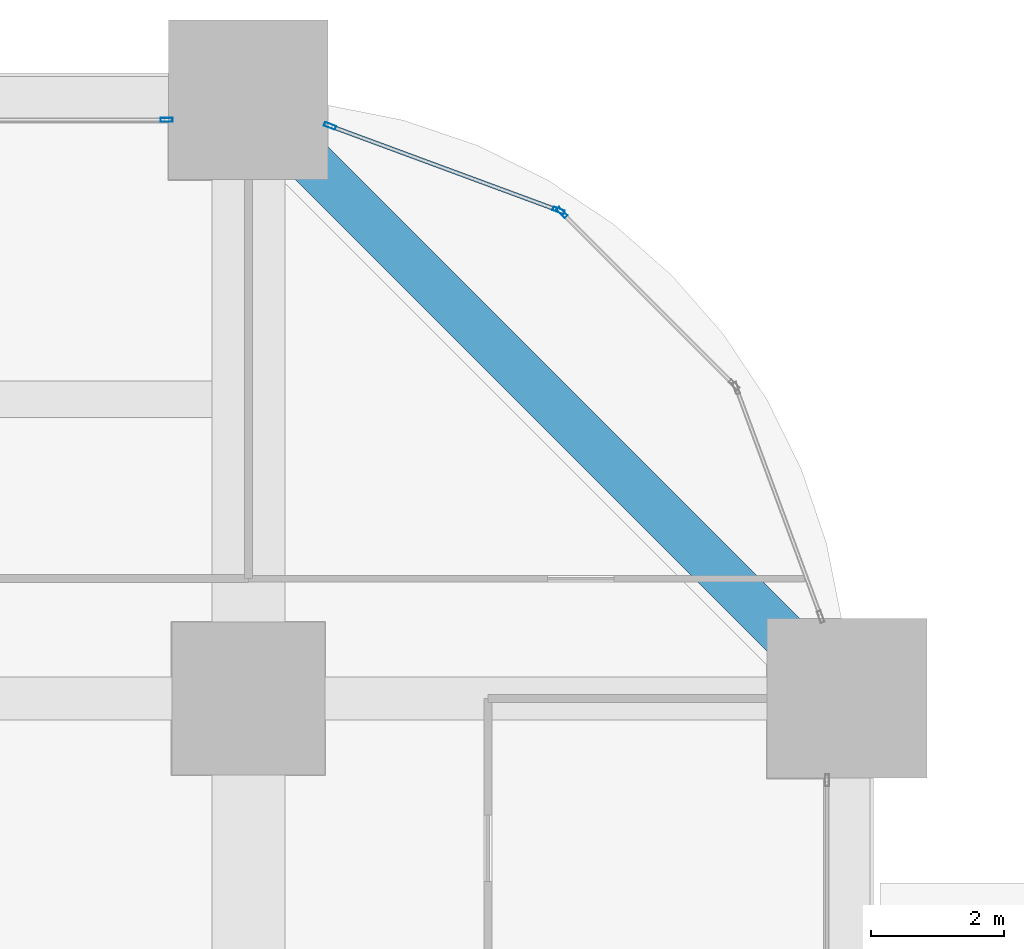
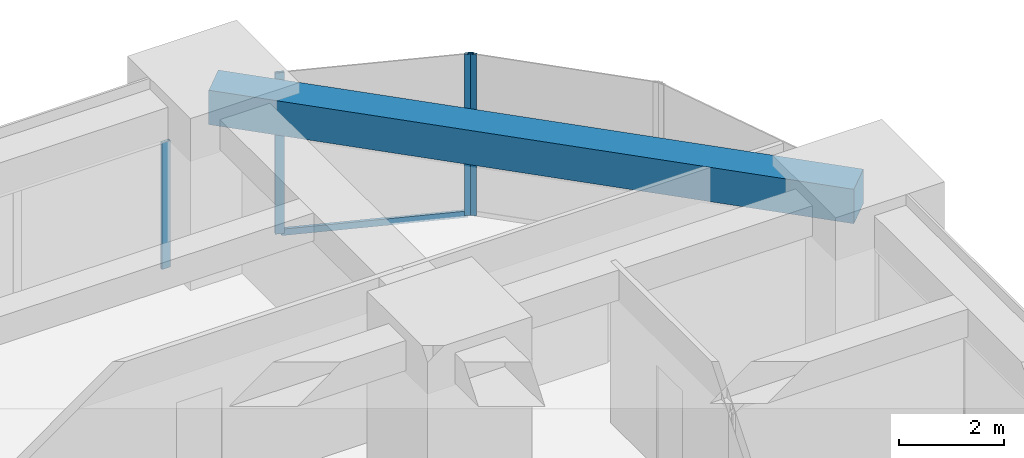
# One storey, part 25 of 39: 5 members, 1 beam, 3 elements without a shape of their own.
"""IFC4 building model written with IfcOpenShell, lengths in metres."""

from ifc_helpers import new_model, si_unit, direction, frame, origin, origin_2d, place, context, subcontext, project, spatial, rectangle, hollow_rectangle, extrude, material, material_profile, profile_set, type_object, element, aggregate, save


model = new_model("IFC4")

# Units and contexts
model_context = context("Model", 3, precision=1e-05, world=origin(), true_north=direction((0.0, 1.0)))
body_context = subcontext(model_context, "Body", "Model", "MODEL_VIEW")
ifc_project = project(units=[si_unit("LENGTHUNIT", "METRE"), si_unit("AREAUNIT", "SQUARE_METRE"), si_unit("VOLUMEUNIT", "CUBIC_METRE"), si_unit("PLANEANGLEUNIT", "RADIAN"), si_unit("MASSUNIT", "GRAM", prefix="KILO")], contexts=[model_context])

# Site, building, storey
site_placement = place(None, origin())
site = spatial("IfcSite", under=ifc_project, at=site_placement, CompositionType="ELEMENT")
building_placement = place(site_placement, origin())
building = spatial("IfcBuilding", under=site, at=building_placement, Name="Zorevar Civic Tower", CompositionType="ELEMENT")
storey_placement = place(building_placement, frame((0.0, 0.0, 19.800048828125)))
storey = spatial("IfcBuildingStorey", under=building, at=storey_placement, Name="L04", CompositionType="ELEMENT", Elevation=19.800048828125)

# Curtain wall, member
ifc_material_1 = material(Name="Dark grey solar-control glass in black aluminium frame", Category="aluminium")
curtain_wall_type = type_object("IfcCurtainWallType", Name="Curtain wall CW2 low zone", PredefinedType="NOTDEFINED", material=ifc_material_1)
curtain_wall_1_placement = place(storey_placement, origin())
curtain_wall_1 = element("IfcCurtainWall", 1, at=curtain_wall_1_placement, inside=storey, type_object=curtain_wall_type, Name="CW2 L04", PredefinedType="NOTDEFINED")
ifc_material_2 = material(Name="Aluminium, black anodised", Category="aluminium")
ifc_material_profile_1 = material_profile(ifc_material_2, hollow_rectangle(XDim=0.06005859375, YDim=0.179931640625, WallThickness=0.00390625, at=origin_2d()), Name="AL 180x60x4")
ifc_profile_set_1 = profile_set([ifc_material_profile_1], Name="Aluminium, black anodised")
member_type_1 = type_object("IfcMemberType", Name="CW2 mullion AL 180x60x4", PredefinedType="MULLION", material=ifc_profile_set_1)
member_1_placement = place(storey_placement, frame((52.77001953125, 53.699951171875, 0.0), z_axis=(0.0, 0.0, 1.0), x_axis=(0.0, 1.0, 0.0)))
member_1 = element("IfcMember", 2, at=member_1_placement, type_object=member_type_1, Name="CW2 mullion 3", PredefinedType="MULLION", context=body_context, shape_type="SweptSolid", body=[
    extrude(hollow_rectangle(XDim=0.06005859375, YDim=0.179931640625, WallThickness=0.00390625, at=origin_2d()), origin(), (0.0, 0.0, 1.0), 2.949951171875),
])
aggregate(curtain_wall_1, [member_1])

curtain_wall_2_placement = place(storey_placement, origin())
curtain_wall_2 = element("IfcCurtainWall", 3, at=curtain_wall_2_placement, inside=storey, type_object=curtain_wall_type, Name="CW2 L04", PredefinedType="NOTDEFINED")
member_2_placement = place(storey_placement, frame((58.7138671875, 52.3046875, 0.0), z_axis=(0.0, 0.0, 1.0), x_axis=(-0.707106781187, -0.707106781187, 0.0)))
member_2 = element("IfcMember", 4, at=member_2_placement, type_object=member_type_1, Name="CW2 mullion 2", PredefinedType="MULLION", context=body_context, shape_type="SweptSolid", body=[
    extrude(hollow_rectangle(XDim=0.06005859375, YDim=0.179931640625, WallThickness=0.00390625, at=origin_2d()), origin(), (0.0, 0.0, 1.0), 3.75),
])
aggregate(curtain_wall_2, [member_2])

# Curtain wall, members
curtain_wall_3_placement = place(storey_placement, origin())
curtain_wall_3 = element("IfcCurtainWall", 5, at=curtain_wall_3_placement, inside=storey, type_object=curtain_wall_type, Name="CW2 L04", PredefinedType="NOTDEFINED")
member_3_placement = place(storey_placement, frame((58.66455078125, 52.336181640625, 0.0), z_axis=(0.0, 0.0, 1.0), x_axis=(-0.346704012033, -0.937974588163, 0.0)))
member_3 = element("IfcMember", 6, at=member_3_placement, type_object=member_type_1, Name="CW2 mullion 1", PredefinedType="MULLION", context=body_context, shape_type="SweptSolid", body=[
    extrude(hollow_rectangle(XDim=0.06005859375, YDim=0.179931640625, WallThickness=0.00390625, at=origin_2d()), origin(), (0.0, 0.0, 1.0), 3.75),
])
member_4_placement = place(storey_placement, frame((55.22802734375, 53.6064453125, 0.0), z_axis=(0.0, 0.0, 1.0), x_axis=(-0.346704012033, -0.937974588163, 0.0)))
member_4 = element("IfcMember", 7, at=member_4_placement, type_object=member_type_1, Name="CW2 mullion 2", PredefinedType="MULLION", context=body_context, shape_type="SweptSolid", body=[
    extrude(hollow_rectangle(XDim=0.06005859375, YDim=0.179931640625, WallThickness=0.00390625, at=origin_2d()), origin(), (0.0, 0.0, 1.0), 3.75),
])
ifc_material_3 = material(Name="Aluminium, black anodised", Category="aluminium")
ifc_material_profile_2 = material_profile(ifc_material_3, hollow_rectangle(XDim=0.06005859375, YDim=0.14990234375, WallThickness=0.00390625, at=origin_2d()), Name="AL 150x60x4")
ifc_profile_set_2 = profile_set([ifc_material_profile_2], Name="Aluminium, black anodised")
member_type_2 = type_object("IfcMemberType", Name="CW2 transom AL 150x60x4", PredefinedType="USERDEFINED", material=ifc_profile_set_2)
member_5_placement = place(storey_placement, frame((58.636474609375, 52.3466796875, 0.030029296875), z_axis=(-0.93798635741, 0.346672169799, 0.0), x_axis=(-0.346672169799, -0.93798635741, 0.0)))
member_5 = element("IfcMember", 8, at=member_5_placement, type_object=member_type_2, Name="CW2 sill transom", ObjectType="TRANSOM", PredefinedType="USERDEFINED", context=body_context, shape_type="SweptSolid", body=[
    extrude(hollow_rectangle(XDim=0.06005859375, YDim=0.14990234375, WallThickness=0.00390625, at=origin_2d()), origin(), (0.0, 0.0, 1.0), 3.603515625),
])
aggregate(curtain_wall_3, [member_3, member_4, member_5])

# Beam
ifc_material_4 = material(Name="Concrete C50/60", Category="concrete")
ifc_material_profile_3 = material_profile(ifc_material_4, rectangle(XDim=0.699951171875, YDim=0.800048828125, at=origin_2d()), Name="RC 700x800")
ifc_profile_set_3 = profile_set([ifc_material_profile_3], Name="Concrete C50/60")
beam_type = type_object("IfcBeamType", Name="Edge beam RC 700x800", PredefinedType="SPANDREL", material=ifc_profile_set_3)
beam_placement = place(storey_placement, frame((63.0, 45.0, 3.349853515625), z_axis=(-0.707106781187, 0.707106781187, 0.0), x_axis=(-0.707106781187, -0.707106781187, 0.0)))
element("IfcBeam", 9, at=beam_placement, inside=storey, type_object=beam_type, Name="Corner edge beam L05", PredefinedType="SPANDREL", context=body_context, shape_type="SweptSolid", body=[
    extrude(rectangle(XDim=0.699951171875, YDim=0.800048828125, at=origin_2d()), origin(), (0.0, 0.0, 1.0), 12.72802734375),
])

save(model, "model.ifc")
